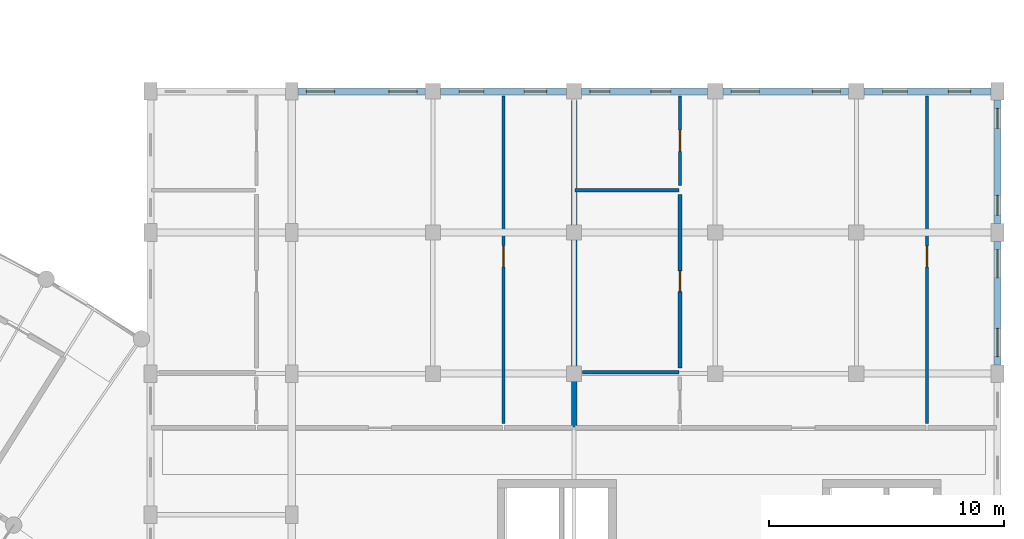
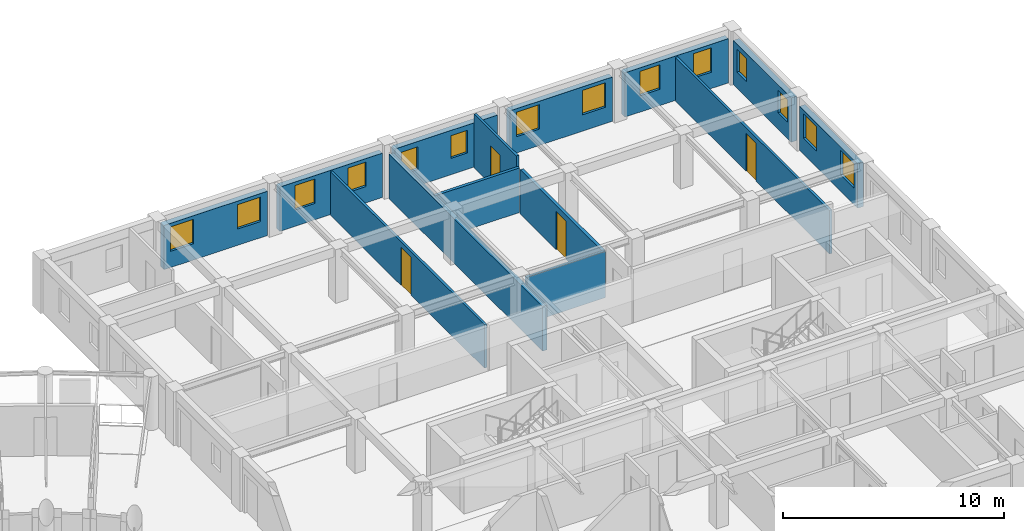
# One storey, part 81 of 100: 14 walls, 14 windows, 4 doors, 18 openings.
"""IFC4 building model written with IfcOpenShell, lengths in metres."""

from ifc_helpers import new_model, si_unit, direction, frame, frame_2d, origin, place, context, subcontext, project, spatial, rectangle, extrude, material, layer, layer_set, type_object, element, fill, save


model = new_model("IFC4")

# Units and contexts
model_context = context("Model", 3, precision=1e-05, world=origin(), true_north=direction((0.0, 1.0)))
body_context = subcontext(model_context, "Body", "Model", "MODEL_VIEW")
ifc_project = project(units=[si_unit("LENGTHUNIT", "METRE"), si_unit("AREAUNIT", "SQUARE_METRE"), si_unit("VOLUMEUNIT", "CUBIC_METRE"), si_unit("PLANEANGLEUNIT", "RADIAN"), si_unit("MASSUNIT", "GRAM", prefix="KILO"), si_unit("POWERUNIT", "WATT"), si_unit("THERMODYNAMICTEMPERATUREUNIT", "KELVIN")], contexts=[model_context])

# Site, building, storey
site_placement = place(None, origin())
site = spatial("IfcSite", under=ifc_project, at=site_placement, CompositionType="ELEMENT")
building_placement = place(site_placement, origin())
building = spatial("IfcBuilding", under=site, at=building_placement, Name="Ruvembo Vaulted Housing Court", CompositionType="ELEMENT")
storey_placement = place(building_placement, frame((0.0, 0.0, 10.89990234375)))
storey = spatial("IfcBuildingStorey", under=building, at=storey_placement, Name="L03", CompositionType="ELEMENT", Elevation=10.89990234375)

# Wall
ifc_material_1 = material(Name="Acoustic Masonry Demising 230", Category="masonry")
ifc_layer_1 = layer(ifc_material_1, 0.22998046875, Name="Acoustic Masonry Demising 230")
ifc_layer_set_1 = layer_set([ifc_layer_1], Name="Acoustic Masonry Demising 230")
wall_type_1 = type_object("IfcWallType", Name="WL-DEM-230", PredefinedType="SOLIDWALL", material=ifc_layer_set_1)
wall_1_placement = place(storey_placement, frame((168.0, 93.739990234375, 0.0), z_axis=(0.0, 0.0, 1.0), x_axis=(0.0, 1.0, 0.0)))
element("IfcWall", 1, at=wall_1_placement, inside=storey, type_object=wall_type_1, Name="L03 Demising D-L03-N1 WL-INT-L03-00956", PredefinedType="SOLIDWALL", context=body_context, shape_type="SweptSolid", body=[
    extrude(rectangle(XDim=13.8701171875, YDim=0.22998046875, at=frame_2d((6.93505859375, 0.0))), origin(), (0.0, 0.0, 1.0), 2.4580078125),
])

# Wall, openings, windows
ifc_material_2 = material(Name="Rendered Masonry 300", Category="masonry")
ifc_layer_2 = layer(ifc_material_2, 0.300048828125, Name="Rendered Masonry 300")
ifc_layer_set_2 = layer_set([ifc_layer_2], Name="Rendered Masonry 300")
wall_type_2 = type_object("IfcWallType", Name="WL-EXT-300", PredefinedType="STANDARD", material=ifc_layer_set_2)
wall_2_placement = place(storey_placement, frame((186.0, 96.375, 0.0), z_axis=(0.0, 0.0, 1.0), x_axis=(0.0, 1.0, 0.0)))
wall_2 = element("IfcWall", 2, at=wall_2_placement, inside=storey, type_object=wall_type_2, Name="Block D L03 Exterior Wall EAST #5", PredefinedType="STANDARD", context=body_context, shape_type="SweptSolid", body=[
    extrude(rectangle(XDim=5.25, YDim=0.300048828125, at=frame_2d((2.625, 0.0))), origin(), (0.0, 0.0, 1.0), 2.442138671875),
])
opening_1_placement = place(wall_2_placement, frame((0.35009765625, 0.0, 0.89990234375)))
opening_1 = element("IfcOpeningElement", 3, at=opening_1_placement, cuts=wall_2, Name="Opening W12", PredefinedType="OPENING", context=body_context, shape_type="SweptSolid", body=[
    extrude(rectangle(XDim=1.199951171875, YDim=1.35009765625, at=frame_2d((0.60009765625, 0.675048828125))), frame((0.0, 0.159912109375, 0.0), z_axis=(0.0, -1.0, 0.0), x_axis=(1.0, 0.0, 0.0)), (0.0, 0.0, 1.0), 0.320068359375),
])
opening_2_placement = place(wall_2_placement, frame((3.699951171875, 0.0, 0.89990234375)))
opening_2 = element("IfcOpeningElement", 4, at=opening_2_placement, cuts=wall_2, Name="Opening W12", PredefinedType="OPENING", context=body_context, shape_type="SweptSolid", body=[
    extrude(rectangle(XDim=1.199951171875, YDim=1.35009765625, at=frame_2d((0.60009765625, 0.675048828125))), frame((0.0, 0.159912109375, 0.0), z_axis=(0.0, -1.0, 0.0), x_axis=(1.0, 0.0, 0.0)), (0.0, 0.0, 1.0), 0.320068359375),
])
ifc_material_3 = material(Name="Double Solar-Control Glazing in Aluminium Frame", Category="aluminium")
window_type_1 = type_object("IfcWindowType", Name="WIN-1200x1350", PartitioningType="SINGLE_PANEL", PredefinedType="WINDOW", material=ifc_material_3)
window_1_placement = place(opening_1_placement, origin())
window_1 = element("IfcWindow", 5, at=window_1_placement, inside=storey, type_object=window_type_1, Name="Block D L03 Window #1595", OverallHeight=1.35009765625, OverallWidth=1.199951171875, PartitioningType="SINGLE_PANEL", PredefinedType="WINDOW", context=body_context, shape_type="SweptSolid", body=[
    extrude(rectangle(XDim=1.199951171875, YDim=1.35009765625, at=frame_2d((0.60009765625, 0.675048828125))), frame((0.0, 0.030029296875, 0.0), z_axis=(0.0, -1.0, 0.0), x_axis=(1.0, 0.0, 0.0)), (0.0, 0.0, 1.0), 0.06005859375),
])
fill(opening_1, window_1)
window_2_placement = place(opening_2_placement, origin())
window_2 = element("IfcWindow", 6, at=window_2_placement, inside=storey, type_object=window_type_1, Name="Block D L03 Window #1596", OverallHeight=1.35009765625, OverallWidth=1.199951171875, PartitioningType="SINGLE_PANEL", PredefinedType="WINDOW", context=body_context, shape_type="SweptSolid", body=[
    extrude(rectangle(XDim=1.199951171875, YDim=1.35009765625, at=frame_2d((0.60009765625, 0.675048828125))), frame((0.0, 0.030029296875, 0.0), z_axis=(0.0, -1.0, 0.0), x_axis=(1.0, 0.0, 0.0)), (0.0, 0.0, 1.0), 0.06005859375),
])
fill(opening_2, window_2)

wall_3_placement = place(storey_placement, frame((186.0, 102.375, 0.0), z_axis=(0.0, 0.0, 1.0), x_axis=(0.0, 1.0, 0.0)))
wall_3 = element("IfcWall", 7, at=wall_3_placement, inside=storey, type_object=wall_type_2, Name="Block D L03 Exterior Wall EAST #6", PredefinedType="STANDARD", context=body_context, shape_type="SweptSolid", body=[
    extrude(rectangle(XDim=5.25, YDim=0.300048828125, at=frame_2d((2.625, 0.0))), origin(), (0.0, 0.0, 1.0), 2.442138671875),
])
opening_3_placement = place(wall_3_placement, frame((0.35009765625, 0.0, 0.89990234375)))
opening_3 = element("IfcOpeningElement", 8, at=opening_3_placement, cuts=wall_3, Name="Opening W03", PredefinedType="OPENING", context=body_context, shape_type="SweptSolid", body=[
    extrude(rectangle(XDim=0.85009765625, YDim=1.25, at=frame_2d((0.425048828125, 0.625))), frame((0.0, 0.159912109375, 0.0), z_axis=(0.0, -1.0, 0.0), x_axis=(1.0, 0.0, 0.0)), (0.0, 0.0, 1.0), 0.320068359375),
])
opening_4_placement = place(wall_3_placement, frame((4.050048828125, 0.0, 0.89990234375)))
opening_4 = element("IfcOpeningElement", 9, at=opening_4_placement, cuts=wall_3, Name="Opening W03", PredefinedType="OPENING", context=body_context, shape_type="SweptSolid", body=[
    extrude(rectangle(XDim=0.85009765625, YDim=1.25, at=frame_2d((0.425048828125, 0.625))), frame((0.0, 0.159912109375, 0.0), z_axis=(0.0, -1.0, 0.0), x_axis=(1.0, 0.0, 0.0)), (0.0, 0.0, 1.0), 0.320068359375),
])
window_type_2 = type_object("IfcWindowType", Name="WIN-0850x1250", PartitioningType="SINGLE_PANEL", PredefinedType="WINDOW", material=ifc_material_3)
window_3_placement = place(opening_3_placement, origin())
window_3 = element("IfcWindow", 10, at=window_3_placement, inside=storey, type_object=window_type_2, Name="Block D L03 Window #1597", OverallHeight=1.25, OverallWidth=0.85009765625, PartitioningType="SINGLE_PANEL", PredefinedType="WINDOW", context=body_context, shape_type="SweptSolid", body=[
    extrude(rectangle(XDim=0.85009765625, YDim=1.25, at=frame_2d((0.425048828125, 0.625))), frame((0.0, 0.030029296875, 0.0), z_axis=(0.0, -1.0, 0.0), x_axis=(1.0, 0.0, 0.0)), (0.0, 0.0, 1.0), 0.06005859375),
])
fill(opening_3, window_3)
window_4_placement = place(opening_4_placement, origin())
window_4 = element("IfcWindow", 11, at=window_4_placement, inside=storey, type_object=window_type_2, Name="Block D L03 Window #1598", OverallHeight=1.25, OverallWidth=0.85009765625, PartitioningType="SINGLE_PANEL", PredefinedType="WINDOW", context=body_context, shape_type="SweptSolid", body=[
    extrude(rectangle(XDim=0.85009765625, YDim=1.25, at=frame_2d((0.425048828125, 0.625))), frame((0.0, 0.030029296875, 0.0), z_axis=(0.0, -1.0, 0.0), x_axis=(1.0, 0.0, 0.0)), (0.0, 0.0, 1.0), 0.06005859375),
])
fill(opening_4, window_4)

wall_4_placement = place(storey_placement, frame((185.72509765625, 108.0, 0.0), z_axis=(0.0, 0.0, 1.0), x_axis=(-1.0, 0.0, 0.0)))
wall_4 = element("IfcWall", 12, at=wall_4_placement, inside=storey, type_object=wall_type_2, Name="Block D L03 Exterior Wall STREET #1", PredefinedType="STANDARD", context=body_context, shape_type="SweptSolid", body=[
    extrude(rectangle(XDim=5.400146484375, YDim=0.300048828125, at=frame_2d((2.7001953125, 0.0))), origin(), (0.0, 0.0, 1.0), 2.442138671875),
])
opening_5_placement = place(wall_4_placement, frame((0.867431640625, 0.0, 0.89990234375)))
opening_5 = element("IfcOpeningElement", 13, at=opening_5_placement, cuts=wall_4, Name="Opening W07", PredefinedType="OPENING", context=body_context, shape_type="SweptSolid", body=[
    extrude(rectangle(XDim=0.949951171875, YDim=1.35009765625, at=frame_2d((0.47509765625, 0.675048828125))), frame((0.0, 0.159912109375, 0.0), z_axis=(0.0, -1.0, 0.0), x_axis=(1.0, 0.0, 0.0)), (0.0, 0.0, 1.0), 0.320068359375),
])
opening_6_placement = place(wall_4_placement, frame((3.5576171875, 0.0, 0.89990234375)))
opening_6 = element("IfcOpeningElement", 14, at=opening_6_placement, cuts=wall_4, Name="Opening W09", PredefinedType="OPENING", context=body_context, shape_type="SweptSolid", body=[
    extrude(rectangle(XDim=1.050048828125, YDim=1.35009765625, at=frame_2d((0.52490234375, 0.675048828125))), frame((0.0, 0.159912109375, 0.0), z_axis=(0.0, -1.0, 0.0), x_axis=(1.0, 0.0, 0.0)), (0.0, 0.0, 1.0), 0.320068359375),
])
window_type_3 = type_object("IfcWindowType", Name="WIN-0950x1350", PartitioningType="SINGLE_PANEL", PredefinedType="WINDOW", material=ifc_material_3)
window_5_placement = place(opening_5_placement, origin())
window_5 = element("IfcWindow", 15, at=window_5_placement, inside=storey, type_object=window_type_3, Name="Block D L03 Window #1599", OverallHeight=1.35009765625, OverallWidth=0.949951171875, PartitioningType="SINGLE_PANEL", PredefinedType="WINDOW", context=body_context, shape_type="SweptSolid", body=[
    extrude(rectangle(XDim=0.949951171875, YDim=1.35009765625, at=frame_2d((0.47509765625, 0.675048828125))), frame((0.0, 0.030029296875, 0.0), z_axis=(0.0, -1.0, 0.0), x_axis=(1.0, 0.0, 0.0)), (0.0, 0.0, 1.0), 0.06005859375),
])
fill(opening_5, window_5)
window_type_4 = type_object("IfcWindowType", Name="WIN-1050x1350", PartitioningType="SINGLE_PANEL", PredefinedType="WINDOW", material=ifc_material_3)
window_6_placement = place(opening_6_placement, origin())
window_6 = element("IfcWindow", 16, at=window_6_placement, inside=storey, type_object=window_type_4, Name="Block D L03 Window #1600", OverallHeight=1.35009765625, OverallWidth=1.050048828125, PartitioningType="SINGLE_PANEL", PredefinedType="WINDOW", context=body_context, shape_type="SweptSolid", body=[
    extrude(rectangle(XDim=1.050048828125, YDim=1.35009765625, at=frame_2d((0.52490234375, 0.675048828125))), frame((0.0, 0.030029296875, 0.0), z_axis=(0.0, -1.0, 0.0), x_axis=(1.0, 0.0, 0.0)), (0.0, 0.0, 1.0), 0.06005859375),
])
fill(opening_6, window_6)

wall_5_placement = place(storey_placement, frame((179.675048828125, 108.0, 0.0), z_axis=(0.0, 0.0, 1.0), x_axis=(-1.0, 0.0, 0.0)))
wall_5 = element("IfcWall", 17, at=wall_5_placement, inside=storey, type_object=wall_type_2, Name="Block D L03 Exterior Wall STREET #2", PredefinedType="STANDARD", context=body_context, shape_type="SweptSolid", body=[
    extrude(rectangle(XDim=5.35009765625, YDim=0.300048828125, at=frame_2d((2.675048828125, 0.0))), origin(), (0.0, 0.0, 1.0), 2.442138671875),
])
opening_7_placement = place(wall_5_placement, frame((0.35009765625, 0.0, 0.89990234375)))
opening_7 = element("IfcOpeningElement", 18, at=opening_7_placement, cuts=wall_5, Name="Opening W12", PredefinedType="OPENING", context=body_context, shape_type="SweptSolid", body=[
    extrude(rectangle(XDim=1.199951171875, YDim=1.35009765625, at=frame_2d((0.60009765625, 0.675048828125))), frame((0.0, 0.159912109375, 0.0), z_axis=(0.0, -1.0, 0.0), x_axis=(1.0, 0.0, 0.0)), (0.0, 0.0, 1.0), 0.320068359375),
])
opening_8_placement = place(wall_5_placement, frame((3.800048828125, 0.0, 0.89990234375)))
opening_8 = element("IfcOpeningElement", 19, at=opening_8_placement, cuts=wall_5, Name="Opening W12", PredefinedType="OPENING", context=body_context, shape_type="SweptSolid", body=[
    extrude(rectangle(XDim=1.199951171875, YDim=1.35009765625, at=frame_2d((0.60009765625, 0.675048828125))), frame((0.0, 0.159912109375, 0.0), z_axis=(0.0, -1.0, 0.0), x_axis=(1.0, 0.0, 0.0)), (0.0, 0.0, 1.0), 0.320068359375),
])
window_7_placement = place(opening_7_placement, origin())
window_7 = element("IfcWindow", 20, at=window_7_placement, inside=storey, type_object=window_type_1, Name="Block D L03 Window #1601", OverallHeight=1.35009765625, OverallWidth=1.199951171875, PartitioningType="SINGLE_PANEL", PredefinedType="WINDOW", context=body_context, shape_type="SweptSolid", body=[
    extrude(rectangle(XDim=1.199951171875, YDim=1.35009765625, at=frame_2d((0.60009765625, 0.675048828125))), frame((0.0, 0.030029296875, 0.0), z_axis=(0.0, -1.0, 0.0), x_axis=(1.0, 0.0, 0.0)), (0.0, 0.0, 1.0), 0.06005859375),
])
fill(opening_7, window_7)
window_8_placement = place(opening_8_placement, origin())
window_8 = element("IfcWindow", 21, at=window_8_placement, inside=storey, type_object=window_type_1, Name="Block D L03 Window #1602", OverallHeight=1.35009765625, OverallWidth=1.199951171875, PartitioningType="SINGLE_PANEL", PredefinedType="WINDOW", context=body_context, shape_type="SweptSolid", body=[
    extrude(rectangle(XDim=1.199951171875, YDim=1.35009765625, at=frame_2d((0.60009765625, 0.675048828125))), frame((0.0, 0.030029296875, 0.0), z_axis=(0.0, -1.0, 0.0), x_axis=(1.0, 0.0, 0.0)), (0.0, 0.0, 1.0), 0.06005859375),
])
fill(opening_8, window_8)

wall_6_placement = place(storey_placement, frame((173.675048828125, 108.0, 0.0), z_axis=(0.0, 0.0, 1.0), x_axis=(-1.0, 0.0, 0.0)))
wall_6 = element("IfcWall", 22, at=wall_6_placement, inside=storey, type_object=wall_type_2, Name="Block D L03 Exterior Wall STREET #3", PredefinedType="STANDARD", context=body_context, shape_type="SweptSolid", body=[
    extrude(rectangle(XDim=5.35009765625, YDim=0.300048828125, at=frame_2d((2.675048828125, 0.0))), origin(), (0.0, 0.0, 1.0), 2.442138671875),
])
opening_9_placement = place(wall_6_placement, frame((1.56494140625, 0.0, 0.89990234375)))
opening_9 = element("IfcOpeningElement", 23, at=opening_9_placement, cuts=wall_6, Name="Opening W03", PredefinedType="OPENING", context=body_context, shape_type="SweptSolid", body=[
    extrude(rectangle(XDim=0.85009765625, YDim=1.25, at=frame_2d((0.425048828125, 0.625))), frame((0.0, 0.159912109375, 0.0), z_axis=(0.0, -1.0, 0.0), x_axis=(1.0, 0.0, 0.0)), (0.0, 0.0, 1.0), 0.320068359375),
])
opening_10_placement = place(wall_6_placement, frame((4.14990234375, 0.0, 0.89990234375)))
opening_10 = element("IfcOpeningElement", 24, at=opening_10_placement, cuts=wall_6, Name="Opening W03", PredefinedType="OPENING", context=body_context, shape_type="SweptSolid", body=[
    extrude(rectangle(XDim=0.85009765625, YDim=1.25, at=frame_2d((0.425048828125, 0.625))), frame((0.0, 0.159912109375, 0.0), z_axis=(0.0, -1.0, 0.0), x_axis=(1.0, 0.0, 0.0)), (0.0, 0.0, 1.0), 0.320068359375),
])
window_9_placement = place(opening_9_placement, origin())
window_9 = element("IfcWindow", 25, at=window_9_placement, inside=storey, type_object=window_type_2, Name="Block D L03 Window #1603", OverallHeight=1.25, OverallWidth=0.85009765625, PartitioningType="SINGLE_PANEL", PredefinedType="WINDOW", context=body_context, shape_type="SweptSolid", body=[
    extrude(rectangle(XDim=0.85009765625, YDim=1.25, at=frame_2d((0.425048828125, 0.625))), frame((0.0, 0.030029296875, 0.0), z_axis=(0.0, -1.0, 0.0), x_axis=(1.0, 0.0, 0.0)), (0.0, 0.0, 1.0), 0.06005859375),
])
fill(opening_9, window_9)
window_10_placement = place(opening_10_placement, origin())
window_10 = element("IfcWindow", 26, at=window_10_placement, inside=storey, type_object=window_type_2, Name="Block D L03 Window #1604", OverallHeight=1.25, OverallWidth=0.85009765625, PartitioningType="SINGLE_PANEL", PredefinedType="WINDOW", context=body_context, shape_type="SweptSolid", body=[
    extrude(rectangle(XDim=0.85009765625, YDim=1.25, at=frame_2d((0.425048828125, 0.625))), frame((0.0, 0.030029296875, 0.0), z_axis=(0.0, -1.0, 0.0), x_axis=(1.0, 0.0, 0.0)), (0.0, 0.0, 1.0), 0.06005859375),
])
fill(opening_10, window_10)

wall_7_placement = place(storey_placement, frame((167.675048828125, 108.0, 0.0), z_axis=(0.0, 0.0, 1.0), x_axis=(-1.0, 0.0, 0.0)))
wall_7 = element("IfcWall", 27, at=wall_7_placement, inside=storey, type_object=wall_type_2, Name="Block D L03 Exterior Wall STREET #4", PredefinedType="STANDARD", context=body_context, shape_type="SweptSolid", body=[
    extrude(rectangle(XDim=5.35009765625, YDim=0.300048828125, at=frame_2d((2.675048828125, 0.0))), origin(), (0.0, 0.0, 1.0), 2.442138671875),
])
opening_11_placement = place(wall_7_placement, frame((0.842529296875, 0.0, 0.89990234375)))
opening_11 = element("IfcOpeningElement", 28, at=opening_11_placement, cuts=wall_7, Name="Opening W07", PredefinedType="OPENING", context=body_context, shape_type="SweptSolid", body=[
    extrude(rectangle(XDim=0.949951171875, YDim=1.35009765625, at=frame_2d((0.47509765625, 0.675048828125))), frame((0.0, 0.159912109375, 0.0), z_axis=(0.0, -1.0, 0.0), x_axis=(1.0, 0.0, 0.0)), (0.0, 0.0, 1.0), 0.320068359375),
])
opening_12_placement = place(wall_7_placement, frame((3.507568359375, 0.0, 0.89990234375)))
opening_12 = element("IfcOpeningElement", 29, at=opening_12_placement, cuts=wall_7, Name="Opening W09", PredefinedType="OPENING", context=body_context, shape_type="SweptSolid", body=[
    extrude(rectangle(XDim=1.050048828125, YDim=1.35009765625, at=frame_2d((0.52490234375, 0.675048828125))), frame((0.0, 0.159912109375, 0.0), z_axis=(0.0, -1.0, 0.0), x_axis=(1.0, 0.0, 0.0)), (0.0, 0.0, 1.0), 0.320068359375),
])
window_11_placement = place(opening_11_placement, origin())
window_11 = element("IfcWindow", 30, at=window_11_placement, inside=storey, type_object=window_type_3, Name="Block D L03 Window #1605", OverallHeight=1.35009765625, OverallWidth=0.949951171875, PartitioningType="SINGLE_PANEL", PredefinedType="WINDOW", context=body_context, shape_type="SweptSolid", body=[
    extrude(rectangle(XDim=0.949951171875, YDim=1.35009765625, at=frame_2d((0.47509765625, 0.675048828125))), frame((0.0, 0.030029296875, 0.0), z_axis=(0.0, -1.0, 0.0), x_axis=(1.0, 0.0, 0.0)), (0.0, 0.0, 1.0), 0.06005859375),
])
fill(opening_11, window_11)
window_12_placement = place(opening_12_placement, origin())
window_12 = element("IfcWindow", 31, at=window_12_placement, inside=storey, type_object=window_type_4, Name="Block D L03 Window #1606", OverallHeight=1.35009765625, OverallWidth=1.050048828125, PartitioningType="SINGLE_PANEL", PredefinedType="WINDOW", context=body_context, shape_type="SweptSolid", body=[
    extrude(rectangle(XDim=1.050048828125, YDim=1.35009765625, at=frame_2d((0.52490234375, 0.675048828125))), frame((0.0, 0.030029296875, 0.0), z_axis=(0.0, -1.0, 0.0), x_axis=(1.0, 0.0, 0.0)), (0.0, 0.0, 1.0), 0.06005859375),
])
fill(opening_12, window_12)

wall_8_placement = place(storey_placement, frame((161.675048828125, 108.0, 0.0), z_axis=(0.0, 0.0, 1.0), x_axis=(-1.0, 0.0, 0.0)))
wall_8 = element("IfcWall", 32, at=wall_8_placement, inside=storey, type_object=wall_type_2, Name="Block D L03 Exterior Wall STREET #5", PredefinedType="STANDARD", context=body_context, shape_type="SweptSolid", body=[
    extrude(rectangle(XDim=5.400146484375, YDim=0.300048828125, at=frame_2d((2.7001953125, 0.0))), origin(), (0.0, 0.0, 1.0), 2.442138671875),
])
opening_13_placement = place(wall_8_placement, frame((0.35009765625, 0.0, 0.89990234375)))
opening_13 = element("IfcOpeningElement", 33, at=opening_13_placement, cuts=wall_8, Name="Opening W12", PredefinedType="OPENING", context=body_context, shape_type="SweptSolid", body=[
    extrude(rectangle(XDim=1.199951171875, YDim=1.35009765625, at=frame_2d((0.60009765625, 0.675048828125))), frame((0.0, 0.159912109375, 0.0), z_axis=(0.0, -1.0, 0.0), x_axis=(1.0, 0.0, 0.0)), (0.0, 0.0, 1.0), 0.320068359375),
])
opening_14_placement = place(wall_8_placement, frame((3.85009765625, 0.0, 0.89990234375)))
opening_14 = element("IfcOpeningElement", 34, at=opening_14_placement, cuts=wall_8, Name="Opening W12", PredefinedType="OPENING", context=body_context, shape_type="SweptSolid", body=[
    extrude(rectangle(XDim=1.199951171875, YDim=1.35009765625, at=frame_2d((0.60009765625, 0.675048828125))), frame((0.0, 0.159912109375, 0.0), z_axis=(0.0, -1.0, 0.0), x_axis=(1.0, 0.0, 0.0)), (0.0, 0.0, 1.0), 0.320068359375),
])
window_13_placement = place(opening_13_placement, origin())
window_13 = element("IfcWindow", 35, at=window_13_placement, inside=storey, type_object=window_type_1, Name="Block D L03 Window #1607", OverallHeight=1.35009765625, OverallWidth=1.199951171875, PartitioningType="SINGLE_PANEL", PredefinedType="WINDOW", context=body_context, shape_type="SweptSolid", body=[
    extrude(rectangle(XDim=1.199951171875, YDim=1.35009765625, at=frame_2d((0.60009765625, 0.675048828125))), frame((0.0, 0.030029296875, 0.0), z_axis=(0.0, -1.0, 0.0), x_axis=(1.0, 0.0, 0.0)), (0.0, 0.0, 1.0), 0.06005859375),
])
fill(opening_13, window_13)
window_14_placement = place(opening_14_placement, origin())
window_14 = element("IfcWindow", 36, at=window_14_placement, inside=storey, type_object=window_type_1, Name="Block D L03 Window #1608", OverallHeight=1.35009765625, OverallWidth=1.199951171875, PartitioningType="SINGLE_PANEL", PredefinedType="WINDOW", context=body_context, shape_type="SweptSolid", body=[
    extrude(rectangle(XDim=1.199951171875, YDim=1.35009765625, at=frame_2d((0.60009765625, 0.675048828125))), frame((0.0, 0.030029296875, 0.0), z_axis=(0.0, -1.0, 0.0), x_axis=(1.0, 0.0, 0.0)), (0.0, 0.0, 1.0), 0.06005859375),
])
fill(opening_14, window_14)

# Wall, opening, door
ifc_material_4 = material(Name="Plasterboard Stud Partition 125", Category="gypsum")
ifc_layer_3 = layer(ifc_material_4, 0.125, Name="Plasterboard Stud Partition 125")
ifc_layer_set_3 = layer_set([ifc_layer_3], Name="Plasterboard Stud Partition 125")
wall_type_3 = type_object("IfcWallType", Name="WL-PART-125", PredefinedType="PARTITIONING", material=ifc_layer_set_3)
wall_9_placement = place(storey_placement, frame((165.0, 93.889892578125, 0.0), z_axis=(0.0, 0.0, 1.0), x_axis=(0.0, 1.0, 0.0)))
wall_9 = element("IfcWall", 37, at=wall_9_placement, inside=storey, type_object=wall_type_3, Name="L03 Flat D-L03-N1 Bedroom 2 WL-INT-L03-00965", PredefinedType="PARTITIONING", context=body_context, shape_type="SweptSolid", body=[
    extrude(rectangle(XDim=13.920166015625, YDim=0.125, at=frame_2d((6.9599609375, 0.0))), origin(), (0.0, 0.0, 1.0), 2.408203125),
])
opening_15_placement = place(wall_9_placement, frame((6.64990234375, 0.0, 0.0)))
opening_15 = element("IfcOpeningElement", 38, at=opening_15_placement, cuts=wall_9, Name="Opening ID1", PredefinedType="OPENING", context=body_context, shape_type="SweptSolid", body=[
    extrude(rectangle(XDim=0.89990234375, YDim=2.10009765625, at=frame_2d((0.449951171875, 1.050048828125))), frame((0.0, 0.072509765625, 0.0), z_axis=(0.0, -1.0, 0.0), x_axis=(1.0, 0.0, 0.0)), (0.0, 0.0, 1.0), 0.14501953125),
])
ifc_material_5 = material(Name="FSC Hardwood and Engineered Timber", Category="wood")
door_type_1 = type_object("IfcDoorType", Name="DR-ROOM-0900x2100", OperationType="NOTDEFINED", PredefinedType="DOOR", material=ifc_material_5)
door_1_placement = place(opening_15_placement, origin())
door_1 = element("IfcDoor", 39, at=door_1_placement, inside=storey, type_object=door_type_1, Name="L03 Flat D-L03-N1 Bedroom 2 Door DR-INT-L03-00530", OperationType="SINGLE_SWING_RIGHT", OverallHeight=2.10009765625, OverallWidth=0.89990234375, PredefinedType="DOOR", context=body_context, shape_type="SweptSolid", body=[
    extrude(rectangle(XDim=0.89990234375, YDim=2.10009765625, at=frame_2d((0.449951171875, 1.050048828125))), frame((0.0, 0.02490234375, 0.0), z_axis=(0.0, -1.0, 0.0), x_axis=(1.0, 0.0, 0.0)), (0.0, 0.0, 1.0), 0.050048828125),
])
fill(opening_15, door_1)

wall_10_placement = place(storey_placement, frame((172.5, 103.989990234375, 0.0), z_axis=(0.0, 0.0, 1.0), x_axis=(0.0, 1.0, 0.0)))
wall_10 = element("IfcWall", 40, at=wall_10_placement, inside=storey, type_object=wall_type_3, Name="L03 Flat D-L03-N2 Bedroom 1 WL-INT-L03-00968", PredefinedType="PARTITIONING", context=body_context, shape_type="SweptSolid", body=[
    extrude(rectangle(XDim=3.820068359375, YDim=0.125, at=frame_2d((1.91015625, 0.0))), origin(), (0.0, 0.0, 1.0), 2.960205078125),
])
opening_16_placement = place(wall_10_placement, frame((1.4599609375, 0.0, 0.0)))
opening_16 = element("IfcOpeningElement", 41, at=opening_16_placement, cuts=wall_10, Name="Opening ID1", PredefinedType="OPENING", context=body_context, shape_type="SweptSolid", body=[
    extrude(rectangle(XDim=0.89990234375, YDim=2.10009765625, at=frame_2d((0.449951171875, 1.050048828125))), frame((0.0, 0.072509765625, 0.0), z_axis=(0.0, -1.0, 0.0), x_axis=(1.0, 0.0, 0.0)), (0.0, 0.0, 1.0), 0.14501953125),
])
door_2_placement = place(opening_16_placement, origin())
door_2 = element("IfcDoor", 42, at=door_2_placement, inside=storey, type_object=door_type_1, Name="L03 Flat D-L03-N2 Bedroom 1 Door DR-INT-L03-00532", OperationType="SINGLE_SWING_RIGHT", OverallHeight=2.10009765625, OverallWidth=0.89990234375, PredefinedType="DOOR", context=body_context, shape_type="SweptSolid", body=[
    extrude(rectangle(XDim=0.89990234375, YDim=2.10009765625, at=frame_2d((0.449951171875, 1.050048828125))), frame((0.0, 0.02490234375, 0.0), z_axis=(0.0, -1.0, 0.0), x_axis=(1.0, 0.0, 0.0)), (0.0, 0.0, 1.0), 0.050048828125),
])
fill(opening_16, door_2)

wall_11_placement = place(storey_placement, frame((183.0, 93.889892578125, 0.0), z_axis=(0.0, 0.0, 1.0), x_axis=(0.0, 1.0, 0.0)))
wall_11 = element("IfcWall", 43, at=wall_11_placement, inside=storey, type_object=wall_type_3, Name="L03 Flat D-L03-N2 Bedroom 2 WL-INT-L03-00974", PredefinedType="PARTITIONING", context=body_context, shape_type="SweptSolid", body=[
    extrude(rectangle(XDim=13.920166015625, YDim=0.125, at=frame_2d((6.9599609375, 0.0))), origin(), (0.0, 0.0, 1.0), 2.408203125),
])
opening_17_placement = place(wall_11_placement, frame((6.64990234375, 0.0, 0.0)))
opening_17 = element("IfcOpeningElement", 44, at=opening_17_placement, cuts=wall_11, Name="Opening ID3", PredefinedType="OPENING", context=body_context, shape_type="SweptSolid", body=[
    extrude(rectangle(XDim=0.8798828125, YDim=2.10009765625, at=frame_2d((0.43994140625, 1.050048828125))), frame((0.0, 0.072509765625, 0.0), z_axis=(0.0, -1.0, 0.0), x_axis=(1.0, 0.0, 0.0)), (0.0, 0.0, 1.0), 0.14501953125),
])
door_type_2 = type_object("IfcDoorType", Name="DR-ROOM-0880x2100", OperationType="NOTDEFINED", PredefinedType="DOOR", material=ifc_material_5)
door_3_placement = place(opening_17_placement, origin())
door_3 = element("IfcDoor", 45, at=door_3_placement, inside=storey, type_object=door_type_2, Name="L03 Flat D-L03-N2 Bedroom 2 Door DR-INT-L03-00535", OperationType="SINGLE_SWING_LEFT", OverallHeight=2.10009765625, OverallWidth=0.8798828125, PredefinedType="DOOR", context=body_context, shape_type="SweptSolid", body=[
    extrude(rectangle(XDim=0.8798828125, YDim=2.10009765625, at=frame_2d((0.43994140625, 1.050048828125))), frame((0.0, 0.02490234375, 0.0), z_axis=(0.0, -1.0, 0.0), x_axis=(1.0, 0.0, 0.0)), (0.0, 0.0, 1.0), 0.050048828125),
])
fill(opening_17, door_3)

# Walls
ifc_material_6 = material(Name="Moisture-Resistant Wet Partition 150", Category="gypsum")
ifc_layer_4 = layer(ifc_material_6, 0.14990234375, Name="Moisture-Resistant Wet Partition 150")
ifc_layer_set_4 = layer_set([ifc_layer_4], Name="Moisture-Resistant Wet Partition 150")
wall_type_4 = type_object("IfcWallType", Name="WL-PART-150", PredefinedType="PARTITIONING", material=ifc_layer_set_4)
wall_12_placement = place(storey_placement, frame((168.0400390625, 103.800048828125, 0.0), z_axis=(0.0, 0.0, 1.0), x_axis=(1.0, 0.0, 0.0)))
element("IfcWall", 46, at=wall_12_placement, inside=storey, type_object=wall_type_4, Name="L03 Flat D-L03-N2 Wet Wall 1 WL-INT-L03-00971", PredefinedType="PARTITIONING", context=body_context, shape_type="SweptSolid", body=[
    extrude(rectangle(XDim=4.419921875, YDim=0.14990234375, at=frame_2d((2.2099609375, 0.0))), origin(), (0.0, 0.0, 1.0), 2.4580078125),
])
wall_13_placement = place(storey_placement, frame((168.360107421875, 96.050048828125, 0.0), z_axis=(0.0, 0.0, 1.0), x_axis=(1.0, 0.0, 0.0)))
element("IfcWall", 47, at=wall_13_placement, inside=storey, type_object=wall_type_4, Name="L03 Flat D-L03-N2 Wet Wall 2 WL-INT-L03-00972", PredefinedType="PARTITIONING", context=body_context, shape_type="SweptSolid", body=[
    extrude(rectangle(XDim=4.099853515625, YDim=0.14990234375, at=frame_2d((2.0498046875, 0.0))), origin(), (0.0, 0.0, 1.0), 2.548095703125),
])

# Wall, opening, door
ifc_material_7 = material(Name="Acoustic Service Chase Wall 160", Category="gypsum")
ifc_layer_5 = layer(ifc_material_7, 0.159912109375, Name="Acoustic Service Chase Wall 160")
ifc_layer_set_5 = layer_set([ifc_layer_5], Name="Acoustic Service Chase Wall 160")
wall_type_5 = type_object("IfcWallType", Name="WL-PLUMB-160", PredefinedType="PLUMBINGWALL", material=ifc_layer_set_5)
wall_14_placement = place(storey_placement, frame((172.5, 96.239990234375, 0.0), z_axis=(0.0, 0.0, 1.0), x_axis=(0.0, 1.0, 0.0)))
wall_14 = element("IfcWall", 48, at=wall_14_placement, inside=storey, type_object=wall_type_5, Name="L03 Flat D-L03-N2 Kitchen WL-INT-L03-00969", PredefinedType="PLUMBINGWALL", context=body_context, shape_type="SweptSolid", body=[
    extrude(rectangle(XDim=7.3701171875, YDim=0.159912109375, at=frame_2d((3.68505859375, 0.0))), origin(), (0.0, 0.0, 1.0), 2.442138671875),
])
opening_18_placement = place(wall_14_placement, frame((3.2451171875, 0.0, 0.0)))
opening_18 = element("IfcOpeningElement", 49, at=opening_18_placement, cuts=wall_14, Name="Opening ID3", PredefinedType="OPENING", context=body_context, shape_type="SweptSolid", body=[
    extrude(rectangle(XDim=0.8798828125, YDim=2.10009765625, at=frame_2d((0.43994140625, 1.050048828125))), frame((0.0, 0.08984375, 0.0), z_axis=(0.0, -1.0, 0.0), x_axis=(1.0, 0.0, 0.0)), (0.0, 0.0, 1.0), 0.179931640625),
])
door_4_placement = place(opening_18_placement, origin())
door_4 = element("IfcDoor", 50, at=door_4_placement, inside=storey, type_object=door_type_2, Name="L03 Flat D-L03-N2 Kitchen Door DR-INT-L03-00533", OperationType="SINGLE_SWING_LEFT", OverallHeight=2.10009765625, OverallWidth=0.8798828125, PredefinedType="DOOR", context=body_context, shape_type="SweptSolid", body=[
    extrude(rectangle(XDim=0.8798828125, YDim=2.10009765625, at=frame_2d((0.43994140625, 1.050048828125))), frame((0.0, 0.02490234375, 0.0), z_axis=(0.0, -1.0, 0.0), x_axis=(1.0, 0.0, 0.0)), (0.0, 0.0, 1.0), 0.050048828125),
])
fill(opening_18, door_4)

save(model, "model.ifc")
